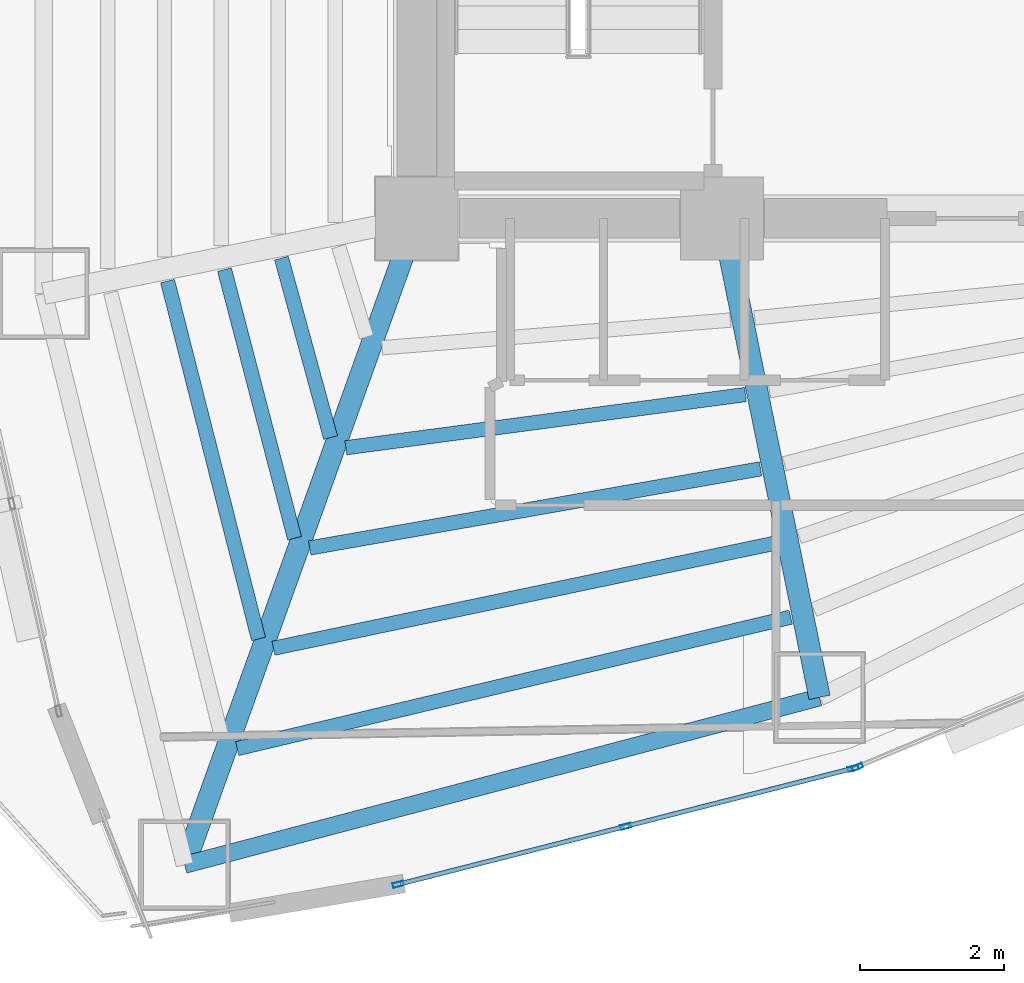
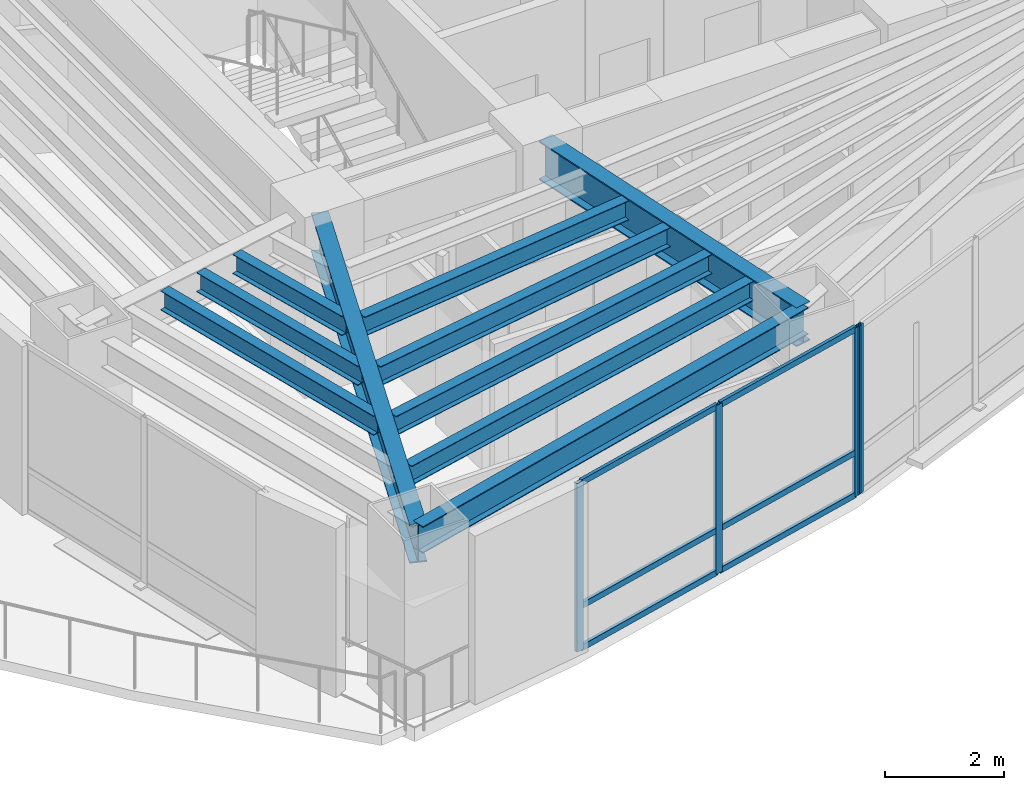
# One storey, part 4 of 19: 10 beams, 10 members, 2 elements without a shape of their own.
"""IFC4 building model written with IfcOpenShell, lengths in metres."""

import ifcopenshell
import ifcopenshell.guid

model = None  # the IFC model being written
_history = None  # IfcOwnerHistory: only IFC2X3 demands one
_inside = {}  # id of a spatial element -> (the spatial element, [elements in it])
_under = {}  # id of a project, library or spatial element -> (it, [spatial elements below it])
_declared = {}  # id of a project -> (the project, [libraries it declares])
_typed = {}  # id of a type object -> (the type object, [elements of that type])
_made_of = {}  # id of a material, layer set ... -> (it, [elements and type objects made of it])


def new_model(schema):
    """Start an empty IFC model of exactly this schema.

    Asked for "IFC4X3", IfcOpenShell would pick the latest addendum, in which some entities
    have other attributes; the version numbers below select the first issue.
    IFC2X3 requires an IfcOwnerHistory on every rooted entity: one is made here for all.
    """
    global model, _history
    if schema == "IFC4X3":
        model = ifcopenshell.file(schema_version=(4, 3, 0, 0))
    else:
        model = ifcopenshell.file(schema=schema)
    _inside.clear()
    _under.clear()
    _declared.clear()
    _typed.clear()
    _made_of.clear()
    _history = None
    if model.schema == "IFC2X3":
        org = make("IfcOrganization", Name="unknown")
        user = make(
            "IfcPersonAndOrganization",
            ThePerson=make("IfcPerson", FamilyName="unknown"),
            TheOrganization=org,
        )
        app = make(
            "IfcApplication",
            ApplicationDeveloper=org,
            Version="unknown",
            ApplicationFullName="unknown",
            ApplicationIdentifier="unknown",
        )
        _history = make(
            "IfcOwnerHistory",
            OwningUser=user,
            OwningApplication=app,
            ChangeAction="ADDED",
            CreationDate=0,
        )
    return model


def make(cls, **values):
    """One entity of the class cls with the attributes given. An attribute that is None is left unset."""
    return model.create_entity(
        cls, **{name: value for name, value in values.items() if value is not None}
    )


def rooted(cls, **values):
    """An entity with a GlobalId (a new one), such as an element, a storey or a relation."""
    return make(cls, GlobalId=ifcopenshell.guid.new(), OwnerHistory=_history, **values)


def si_unit(unit_type, name, prefix=None):
    """IfcSIUnit, for example si_unit("LENGTHUNIT", "METRE", prefix="MILLI")."""
    return make("IfcSIUnit", UnitType=unit_type, Prefix=prefix, Name=name)


def assignment(units):
    """IfcUnitAssignment: the units of a project."""
    return None if units is None else make("IfcUnitAssignment", Units=units)


def point(xyz):
    """IfcCartesianPoint."""
    return None if xyz is None else make("IfcCartesianPoint", Coordinates=xyz)


def direction(xyz):
    """IfcDirection."""
    return None if xyz is None else make("IfcDirection", DirectionRatios=xyz)


def frame(location, z_axis=None, x_axis=None):
    """IfcAxis2Placement3D, a coordinate frame: its origin and axes. An axis left out is left unset."""
    return make(
        "IfcAxis2Placement3D",
        Location=point(location),
        Axis=direction(z_axis),
        RefDirection=direction(x_axis),
    )


def frame_2d(location, x_axis=None):
    """IfcAxis2Placement2D, a coordinate frame in the plane: its origin and x axis."""
    return make(
        "IfcAxis2Placement2D", Location=point(location), RefDirection=direction(x_axis)
    )


def origin():
    """The frame at (0, 0, 0) with its axes left unset."""
    return frame((0.0, 0.0, 0.0))


def origin_2d():
    """The frame at (0, 0) in the plane with its x axis left unset."""
    return frame_2d((0.0, 0.0))


def place(relative_to, where):
    """IfcLocalPlacement: puts the frame where relative to a parent placement (None: the world)."""
    return make(
        "IfcLocalPlacement", PlacementRelTo=relative_to, RelativePlacement=where
    )


def context(
    kind, dimensions, precision=None, world=None, true_north=None, identifier=None
):
    """IfcGeometricRepresentationContext, for example the 3D "Model" context."""
    return make(
        "IfcGeometricRepresentationContext",
        ContextIdentifier=identifier,
        ContextType=kind,
        CoordinateSpaceDimension=dimensions,
        Precision=precision,
        WorldCoordinateSystem=world,
        TrueNorth=true_north,
    )


def subcontext(parent, identifier, kind, view, scale=None):
    """IfcGeometricRepresentationSubContext, for example "Body" below "Model"."""
    return make(
        "IfcGeometricRepresentationSubContext",
        ContextIdentifier=identifier,
        ContextType=kind,
        ParentContext=parent,
        TargetScale=scale,
        TargetView=view,
    )


def project(units=None, contexts=None):
    """IfcProject with its units and contexts."""
    return rooted(
        "IfcProject",
        Name="project",
        RepresentationContexts=contexts,
        UnitsInContext=assignment(units),
    )


def spatial(cls, under=None, at=None, **own):
    """A site, building, storey or space (cls), placed at a placement, below another one or the project."""
    s = rooted(cls, ObjectPlacement=at, **own)
    if under is not None:
        _under.setdefault(under.id(), (under, []))[1].append(s)
    return s


def profile(cls, at=None, kind="AREA", **sizes):
    """A parametric profile (cls). Its sizes go by their IFC names, for example OverallWidth=200.0."""
    return make(cls, ProfileType=kind, Position=at, **sizes)


def hollow_rectangle(**sizes):
    """IfcRectangleHollowProfileDef."""
    return profile("IfcRectangleHollowProfileDef", **sizes)


def i_section(**sizes):
    """IfcIShapeProfileDef."""
    return profile("IfcIShapeProfileDef", **sizes)


def extrude(swept, where, along, depth):
    """IfcExtrudedAreaSolid: the profile swept, set in the frame where, extruded along a direction by depth."""
    return make(
        "IfcExtrudedAreaSolid",
        SweptArea=swept,
        Position=where,
        ExtrudedDirection=direction(along),
        Depth=depth,
    )


def shape(context_of_items, identifier, shape_type, items):
    """IfcShapeRepresentation: the items that make up one representation, for example the "Body"."""
    return make(
        "IfcShapeRepresentation",
        ContextOfItems=context_of_items,
        RepresentationIdentifier=identifier,
        RepresentationType=shape_type,
        Items=items,
    )


def material(Name=None, Category=None):
    """IfcMaterial."""
    return make("IfcMaterial", Name=Name, Category=Category)


def layer(
    of_material, thickness, ventilated=None, Name=None, Category=None, Priority=None
):
    """IfcMaterialLayer: one layer of a wall or slab, of a material (None: an air gap)."""
    return make(
        "IfcMaterialLayer",
        Material=of_material,
        LayerThickness=thickness,
        IsVentilated=ventilated,
        Name=Name,
        Category=Category,
        Priority=Priority,
    )


def layer_set(layers, Name=None):
    """IfcMaterialLayerSet."""
    return make("IfcMaterialLayerSet", MaterialLayers=layers, LayerSetName=Name)


def material_profile(
    of_material, cross_section, Name=None, Category=None, Priority=None
):
    """IfcMaterialProfile: a cross section and its material."""
    return make(
        "IfcMaterialProfile",
        Name=Name,
        Material=of_material,
        Profile=cross_section,
        Priority=Priority,
        Category=Category,
    )


def profile_set(profiles, Name=None, composite=None):
    """IfcMaterialProfileSet."""
    return make(
        "IfcMaterialProfileSet",
        Name=Name,
        MaterialProfiles=profiles,
        CompositeProfile=composite,
    )


def made_of(thing, what):
    """Note that an element or type object is made of a material, layer set ...; save() writes the relation."""
    if what is not None:
        _made_of.setdefault(what.id(), (what, []))[1].append(thing)
    return thing


def type_object(cls, material=None, **own):
    """A type object (cls), such as IfcWallType, which elements share."""
    return made_of(rooted(cls, **own), material)


def element(
    cls,
    number,
    at=None,
    inside=None,
    cuts=None,
    type_object=None,
    material=None,
    context=None,
    identifier="Body",
    shape_type=None,
    held_by="IfcProductDefinitionShape",
    body=None,
    shapes=None,
    **own,
):
    """One element of the class cls, such as IfcWall. Its Tag is "e" and its number.

    at: its placement. inside: the storey or other place that contains it. cuts: it is an
    opening in that element (IfcRelVoidsElement). A single representation is given by context,
    identifier, shape_type and body (its items); several are given by shapes. held_by: the class
    of the entity that holds the representations. save() writes the other relations.
    """
    e = rooted(cls, Tag="e%d" % number, ObjectPlacement=at, **own)
    if body is not None:
        shapes = [shape(context, identifier, shape_type, body)]
    if shapes is not None:
        e.Representation = make(held_by, Representations=shapes)
    if inside is not None:
        _inside.setdefault(inside.id(), (inside, []))[1].append(e)
    if cuts is not None:
        rooted(
            "IfcRelVoidsElement", RelatingBuildingElement=cuts, RelatedOpeningElement=e
        )
    if type_object is not None:
        _typed.setdefault(type_object.id(), (type_object, []))[1].append(e)
    return made_of(e, material)


def aggregate(whole, parts):
    """IfcRelAggregates: a whole, such as a stair, and the parts it consists of."""
    return rooted("IfcRelAggregates", RelatingObject=whole, RelatedObjects=parts)


def save(model, path):
    """Write the relations noted so far, then the file.

    IfcRelAggregates (storeys below a building ...), IfcRelContainedInSpatialStructure (elements
    in a storey), IfcRelDefinesByType, IfcRelAssociatesMaterial and IfcRelDeclares: one each for
    every whole, place, type object, material and project.
    """
    for whole, parts in _under.values():
        aggregate(whole, parts)
    for where, things in _inside.values():
        rooted(
            "IfcRelContainedInSpatialStructure",
            RelatedElements=things,
            RelatingStructure=where,
        )
    for kind, things in _typed.values():
        rooted("IfcRelDefinesByType", RelatedObjects=things, RelatingType=kind)
    for what, things in _made_of.values():
        rooted("IfcRelAssociatesMaterial", RelatedObjects=things, RelatingMaterial=what)
    for by, libraries in _declared.values():
        rooted("IfcRelDeclares", RelatingContext=by, RelatedDefinitions=libraries)
    model.write(path)


model = new_model("IFC4")

# Units and contexts
model_context = context("Model", 3, precision=1e-05, world=origin(), true_north=direction((0.0, 1.0)))
body_context = subcontext(model_context, "Body", "Model", "MODEL_VIEW")
ifc_project = project(units=[si_unit("LENGTHUNIT", "METRE"), si_unit("AREAUNIT", "SQUARE_METRE"), si_unit("VOLUMEUNIT", "CUBIC_METRE"), si_unit("PLANEANGLEUNIT", "RADIAN"), si_unit("MASSUNIT", "GRAM", prefix="KILO")], contexts=[model_context])

# Site, building, storey
site_placement = place(None, origin())
site = spatial("IfcSite", under=ifc_project, at=site_placement, CompositionType="ELEMENT")
building_placement = place(site_placement, origin())
building = spatial("IfcBuilding", under=site, at=building_placement, Name="Menara Vayukalpa", CompositionType="ELEMENT")
storey_placement = place(building_placement, frame((0.0, 0.0, 118.860107421875)))
storey = spatial("IfcBuildingStorey", under=building, at=storey_placement, Name="L29", CompositionType="ELEMENT", Elevation=118.860107421875)

# Beams
ifc_material_1 = material(Name="Steel S355", Category="steel")
ifc_material_profile_1 = material_profile(ifc_material_1, i_section(OverallWidth=0.300048828125, OverallDepth=0.800048828125, WebThickness=0.013916015625, FlangeThickness=0.02587890625, at=origin_2d()), Name="WF 800x300x14x26")
ifc_profile_set_1 = profile_set([ifc_material_profile_1], Name="Steel S355")
beam_type_1 = type_object("IfcBeamType", Name="BM-PG3", PredefinedType="BEAM", material=ifc_profile_set_1)
beam_1_placement = place(storey_placement, frame((17.715576171875, 16.964599609375, 3.06982421875), z_axis=(-0.337975542909, -0.941154892882, 0.0), x_axis=(0.941154892882, -0.337975542909, 0.0)))
element("IfcBeam", 1, at=beam_1_placement, inside=storey, type_object=beam_type_1, Name="L29 Primary Radial Girder RG07", PredefinedType="BEAM", context=body_context, shape_type="SweptSolid", body=[
    extrude(i_section(OverallWidth=0.300048828125, OverallDepth=0.800048828125, WebThickness=0.013916015625, FlangeThickness=0.02587890625, at=origin_2d()), origin(), (0.0, 0.0, 1.0), 9.309814453125),
])
beam_2_placement = place(storey_placement, frame((22.099853515625, 16.955078125, 3.06982421875), z_axis=(0.199617728418, -0.9798738503, 0.0), x_axis=(0.9798738503, 0.199617728418, 0.0)))
element("IfcBeam", 2, at=beam_2_placement, inside=storey, type_object=beam_type_1, Name="L29 Primary Radial Girder RG08", PredefinedType="BEAM", context=body_context, shape_type="SweptSolid", body=[
    extrude(i_section(OverallWidth=0.300048828125, OverallDepth=0.800048828125, WebThickness=0.013916015625, FlangeThickness=0.02587890625, at=origin_2d()), origin(), (0.0, 0.0, 1.0), 6.55419921875),
])
ifc_material_2 = material(Name="Steel S355", Category="steel")
ifc_material_profile_2 = material_profile(ifc_material_2, i_section(OverallWidth=0.199951171875, OverallDepth=0.39990234375, WebThickness=0.008056640625, FlangeThickness=0.012939453125, at=origin_2d()), Name="WF 400x200x8x13")
ifc_profile_set_2 = profile_set([ifc_material_profile_2], Name="Steel S355")
beam_type_2 = type_object("IfcBeamType", Name="BM-SJ2", PredefinedType="JOIST", material=ifc_profile_set_2)
beam_3_placement = place(storey_placement, frame((15.917236328125, 16.64794921875, 3.269775390625), z_axis=(0.263922858843, -0.964543790908, 0.0), x_axis=(0.964543790908, 0.263922858843, 0.0)))
element("IfcBeam", 3, at=beam_3_placement, inside=storey, type_object=beam_type_2, Name="L29 Secondary Floor Joist SJ06-2", PredefinedType="JOIST", context=body_context, shape_type="SweptSolid", body=[
    extrude(i_section(OverallWidth=0.199951171875, OverallDepth=0.39990234375, WebThickness=0.008056640625, FlangeThickness=0.012939453125, at=origin_2d()), origin(), (0.0, 0.0, 1.0), 2.590087890625),
])
beam_4_placement = place(storey_placement, frame((15.123779296875, 16.488037109375, 3.269775390625), z_axis=(0.252406469257, -0.967621296933, 0.0), x_axis=(0.967621296933, 0.252406469257, 0.0)))
element("IfcBeam", 4, at=beam_4_placement, inside=storey, type_object=beam_type_2, Name="L29 Secondary Floor Joist SJ06-3", PredefinedType="JOIST", context=body_context, shape_type="SweptSolid", body=[
    extrude(i_section(OverallWidth=0.199951171875, OverallDepth=0.39990234375, WebThickness=0.008056640625, FlangeThickness=0.012939453125, at=origin_2d()), origin(), (0.0, 0.0, 1.0), 3.865234375),
])
beam_5_placement = place(storey_placement, frame((14.330810546875, 16.328369140625, 3.269775390625), z_axis=(0.246311066692, -0.969190826631, 0.0), x_axis=(0.969190826631, 0.246311066692, 0.0)))
element("IfcBeam", 5, at=beam_5_placement, inside=storey, type_object=beam_type_2, Name="L29 Secondary Floor Joist SJ06-4", PredefinedType="JOIST", context=body_context, shape_type="SweptSolid", body=[
    extrude(i_section(OverallWidth=0.199951171875, OverallDepth=0.39990234375, WebThickness=0.008056640625, FlangeThickness=0.012939453125, at=origin_2d()), origin(), (0.0, 0.0, 1.0), 5.140380859375),
])
beam_6_placement = place(storey_placement, frame((16.814208984375, 14.008056640625, 3.269775390625), z_axis=(0.991248408809, 0.132009817941, 0.0), x_axis=(-0.132009817941, 0.991248408809, 0.0)))
element("IfcBeam", 6, at=beam_6_placement, inside=storey, type_object=beam_type_2, Name="L29 Secondary Floor Joist SJ07-2", PredefinedType="JOIST", context=body_context, shape_type="SweptSolid", body=[
    extrude(i_section(OverallWidth=0.199951171875, OverallDepth=0.39990234375, WebThickness=0.008056640625, FlangeThickness=0.012939453125, at=origin_2d()), origin(), (0.0, 0.0, 1.0), 5.611083984375),
])
beam_7_placement = place(storey_placement, frame((16.309814453125, 12.613037109375, 3.269775390625), z_axis=(0.984953935883, 0.172817083033, 0.0), x_axis=(-0.172817083033, 0.984953935883, 0.0)))
element("IfcBeam", 7, at=beam_7_placement, inside=storey, type_object=beam_type_2, Name="L29 Secondary Floor Joist SJ07-3", PredefinedType="JOIST", context=body_context, shape_type="SweptSolid", body=[
    extrude(i_section(OverallWidth=0.199951171875, OverallDepth=0.39990234375, WebThickness=0.008056640625, FlangeThickness=0.012939453125, at=origin_2d()), origin(), (0.0, 0.0, 1.0), 6.372802734375),
])
beam_8_placement = place(storey_placement, frame((15.805419921875, 11.216552734375, 3.269775390625), z_axis=(0.978749487369, 0.205059603471, 0.0), x_axis=(-0.205059603471, 0.978749487369, 0.0)))
element("IfcBeam", 8, at=beam_8_placement, inside=storey, type_object=beam_type_2, Name="L29 Secondary Floor Joist SJ07-4", PredefinedType="JOIST", context=body_context, shape_type="SweptSolid", body=[
    extrude(i_section(OverallWidth=0.199951171875, OverallDepth=0.39990234375, WebThickness=0.008056640625, FlangeThickness=0.012939453125, at=origin_2d()), origin(), (0.0, 0.0, 1.0), 7.1435546875),
])
beam_9_placement = place(storey_placement, frame((15.30078125, 9.819091796875, 3.269775390625), z_axis=(0.97293603101, 0.231074619036, 0.0), x_axis=(-0.231074619036, 0.97293603101, 0.0)))
element("IfcBeam", 9, at=beam_9_placement, inside=storey, type_object=beam_type_2, Name="L29 Secondary Floor Joist SJ07-5", PredefinedType="JOIST", context=body_context, shape_type="SweptSolid", body=[
    extrude(i_section(OverallWidth=0.199951171875, OverallDepth=0.39990234375, WebThickness=0.008056640625, FlangeThickness=0.012939453125, at=origin_2d()), origin(), (0.0, 0.0, 1.0), 7.9208984375),
])
ifc_material_3 = material(Name="Steel S355", Category="steel")
ifc_material_profile_3 = material_profile(ifc_material_3, i_section(OverallWidth=0.239990234375, OverallDepth=0.550048828125, WebThickness=0.010986328125, FlangeThickness=0.01904296875, at=origin_2d()), Name="WF 550x240x11x19")
ifc_profile_set_3 = profile_set([ifc_material_profile_3], Name="Steel S355")
beam_type_3 = type_object("IfcBeamType", Name="BM-SP2", PredefinedType="SPANDREL", material=ifc_profile_set_3)
beam_10_placement = place(storey_placement, frame((14.569091796875, 8.20263671875, 3.19482421875), z_axis=(0.966966857313, 0.254902131921, 0.0), x_axis=(-0.254902131921, 0.966966857313, 0.0)))
element("IfcBeam", 10, at=beam_10_placement, inside=storey, type_object=beam_type_3, Name="L29 Perimeter Spandrel Beam SP07", PredefinedType="SPANDREL", context=body_context, shape_type="SweptSolid", body=[
    extrude(i_section(OverallWidth=0.239990234375, OverallDepth=0.550048828125, WebThickness=0.010986328125, FlangeThickness=0.01904296875, at=origin_2d()), origin(), (0.0, 0.0, 1.0), 9.14111328125),
])

# Curtain wall, members
ifc_material_4 = material(Name="Anodised Terracotta Aluminium Alloy 6063-T6", Category="masonry")
ifc_layer = layer(ifc_material_4, 0.14990234375)
ifc_layer_set = layer_set([ifc_layer], Name="Anodised Terracotta Aluminium Alloy 6063-T6")
curtain_wall_type = type_object("IfcCurtainWallType", Name="CW-CW3", PredefinedType="USERDEFINED", material=ifc_layer_set)
curtain_wall_1_placement = place(storey_placement, origin())
curtain_wall_1 = element("IfcCurtainWall", 11, at=curtain_wall_1_placement, inside=storey, type_object=curtain_wall_type, Name="L29 Mid Rise Terracotta Ribbon Curtain Wall CW3 16", ObjectType="UNITISED", PredefinedType="USERDEFINED")
ifc_material_5 = material(Name="Anodised Terracotta Aluminium Alloy 6063-T6", Category="masonry")
ifc_material_profile_4 = material_profile(ifc_material_5, hollow_rectangle(XDim=0.06494140625, YDim=0.14990234375, WallThickness=0.00341796875, at=origin_2d()), Name="ALU 65x150x3.5")
ifc_profile_set_4 = profile_set([ifc_material_profile_4], Name="Anodised Terracotta Aluminium Alloy 6063-T6")
member_type_1 = type_object("IfcMemberType", Name="CWM-CW3", PredefinedType="MULLION", material=ifc_profile_set_4)
member_1_placement = place(storey_placement, frame((17.5419921875, 7.928955078125, 0.0), z_axis=(0.0, 0.0, 1.0), x_axis=(-0.247130597017, 0.968982181476, 0.0)))
member_1 = element("IfcMember", 12, at=member_1_placement, type_object=member_type_1, Name="CW3 mullion 1", PredefinedType="MULLION", context=body_context, shape_type="SweptSolid", body=[
    extrude(hollow_rectangle(XDim=0.06494140625, YDim=0.14990234375, WallThickness=0.00341796875, at=origin_2d()), origin(), (0.0, 0.0, 1.0), 3.469970703125),
])
member_2_placement = place(storey_placement, frame((20.708984375, 8.736572265625, 0.0), z_axis=(0.0, 0.0, 1.0), x_axis=(-0.247130597017, 0.968982181476, 0.0)))
member_2 = element("IfcMember", 13, at=member_2_placement, type_object=member_type_1, Name="CW3 mullion 2", PredefinedType="MULLION", context=body_context, shape_type="SweptSolid", body=[
    extrude(hollow_rectangle(XDim=0.06494140625, YDim=0.14990234375, WallThickness=0.00341796875, at=origin_2d()), origin(), (0.0, 0.0, 1.0), 3.469970703125),
])
member_3_placement = place(storey_placement, frame((23.8759765625, 9.54443359375, 0.0), z_axis=(0.0, 0.0, 1.0), x_axis=(-0.247130597017, 0.968982181476, 0.0)))
member_3 = element("IfcMember", 14, at=member_3_placement, type_object=member_type_1, Name="CW3 mullion 3", PredefinedType="MULLION", context=body_context, shape_type="SweptSolid", body=[
    extrude(hollow_rectangle(XDim=0.06494140625, YDim=0.14990234375, WallThickness=0.00341796875, at=origin_2d()), origin(), (0.0, 0.0, 1.0), 3.469970703125),
])

# Curtain wall, member
curtain_wall_2_placement = place(storey_placement, origin())
curtain_wall_2 = element("IfcCurtainWall", 15, at=curtain_wall_2_placement, inside=storey, type_object=curtain_wall_type, Name="L29 Mid Rise Terracotta Ribbon Curtain Wall CW3 17", ObjectType="UNITISED", PredefinedType="USERDEFINED")
member_4_placement = place(storey_placement, frame((23.9375, 9.56494140625, 0.0), z_axis=(0.0, 0.0, 1.0), x_axis=(-0.38589358437, 0.922543300632, 0.0)))
member_4 = element("IfcMember", 16, at=member_4_placement, type_object=member_type_1, Name="CW3 mullion 1", PredefinedType="MULLION", context=body_context, shape_type="SweptSolid", body=[
    extrude(hollow_rectangle(XDim=0.06494140625, YDim=0.14990234375, WallThickness=0.00341796875, at=origin_2d()), origin(), (0.0, 0.0, 1.0), 3.469970703125),
])
aggregate(curtain_wall_2, [member_4])

# Member
ifc_material_6 = material(Name="Anodised Terracotta Aluminium Alloy 6063-T6", Category="masonry")
ifc_material_profile_5 = material_profile(ifc_material_6, hollow_rectangle(XDim=0.06494140625, YDim=0.1201171875, WallThickness=0.00341796875, at=origin_2d()), Name="ALU 65x120x3.5")
ifc_profile_set_5 = profile_set([ifc_material_profile_5], Name="Anodised Terracotta Aluminium Alloy 6063-T6")
member_type_2 = type_object("IfcMemberType", Name="CWT-CW3", PredefinedType="USERDEFINED", material=ifc_profile_set_5)
member_5_placement = place(storey_placement, frame((17.573486328125, 7.93701171875, 0.032470703125), z_axis=(0.968993070504, 0.247087897953, 0.0), x_axis=(-0.247087897953, 0.968993070504, 0.0)))
member_5 = element("IfcMember", 17, at=member_5_placement, type_object=member_type_2, Name="CW3 transom 1.1", ObjectType="TRANSOM", PredefinedType="USERDEFINED", context=body_context, shape_type="SweptSolid", body=[
    extrude(hollow_rectangle(XDim=0.06494140625, YDim=0.1201171875, WallThickness=0.00341796875, at=origin_2d()), origin(), (0.0, 0.0, 1.0), 3.203369140625),
])

member_6_placement = place(storey_placement, frame((17.573486328125, 7.93701171875, 0.89990234375), z_axis=(0.968993070504, 0.247087897953, 0.0), x_axis=(-0.247087897953, 0.968993070504, 0.0)))
member_6 = element("IfcMember", 18, at=member_6_placement, type_object=member_type_2, Name="CW3 transom 1.2", ObjectType="TRANSOM", PredefinedType="USERDEFINED", context=body_context, shape_type="SweptSolid", body=[
    extrude(hollow_rectangle(XDim=0.06494140625, YDim=0.1201171875, WallThickness=0.00341796875, at=origin_2d()), origin(), (0.0, 0.0, 1.0), 3.203369140625),
])

member_7_placement = place(storey_placement, frame((17.573486328125, 7.93701171875, 3.4375), z_axis=(0.968993070504, 0.247087897953, 0.0), x_axis=(-0.247087897953, 0.968993070504, 0.0)))
member_7 = element("IfcMember", 19, at=member_7_placement, type_object=member_type_2, Name="CW3 transom 1.3", ObjectType="TRANSOM", PredefinedType="USERDEFINED", context=body_context, shape_type="SweptSolid", body=[
    extrude(hollow_rectangle(XDim=0.06494140625, YDim=0.1201171875, WallThickness=0.00341796875, at=origin_2d()), origin(), (0.0, 0.0, 1.0), 3.203369140625),
])

member_8_placement = place(storey_placement, frame((20.740478515625, 8.74462890625, 0.032470703125), z_axis=(0.968974820401, 0.247159457493, 0.0), x_axis=(-0.247159457493, 0.968974820401, 0.0)))
member_8 = element("IfcMember", 20, at=member_8_placement, type_object=member_type_2, Name="CW3 transom 2.1", ObjectType="TRANSOM", PredefinedType="USERDEFINED", context=body_context, shape_type="SweptSolid", body=[
    extrude(hollow_rectangle(XDim=0.06494140625, YDim=0.1201171875, WallThickness=0.00341796875, at=origin_2d()), origin(), (0.0, 0.0, 1.0), 3.203369140625),
])

member_9_placement = place(storey_placement, frame((20.740478515625, 8.74462890625, 0.89990234375), z_axis=(0.968974820401, 0.247159457493, 0.0), x_axis=(-0.247159457493, 0.968974820401, 0.0)))
member_9 = element("IfcMember", 21, at=member_9_placement, type_object=member_type_2, Name="CW3 transom 2.2", ObjectType="TRANSOM", PredefinedType="USERDEFINED", context=body_context, shape_type="SweptSolid", body=[
    extrude(hollow_rectangle(XDim=0.06494140625, YDim=0.1201171875, WallThickness=0.00341796875, at=origin_2d()), origin(), (0.0, 0.0, 1.0), 3.203369140625),
])

member_10_placement = place(storey_placement, frame((20.740478515625, 8.74462890625, 3.4375), z_axis=(0.968974820401, 0.247159457493, 0.0), x_axis=(-0.247159457493, 0.968974820401, 0.0)))
member_10 = element("IfcMember", 22, at=member_10_placement, type_object=member_type_2, Name="CW3 transom 2.3", ObjectType="TRANSOM", PredefinedType="USERDEFINED", context=body_context, shape_type="SweptSolid", body=[
    extrude(hollow_rectangle(XDim=0.06494140625, YDim=0.1201171875, WallThickness=0.00341796875, at=origin_2d()), origin(), (0.0, 0.0, 1.0), 3.203369140625),
])

aggregate(curtain_wall_1, [member_1, member_2, member_3, member_5, member_6, member_7, member_8, member_9, member_10])

save(model, "model.ifc")
